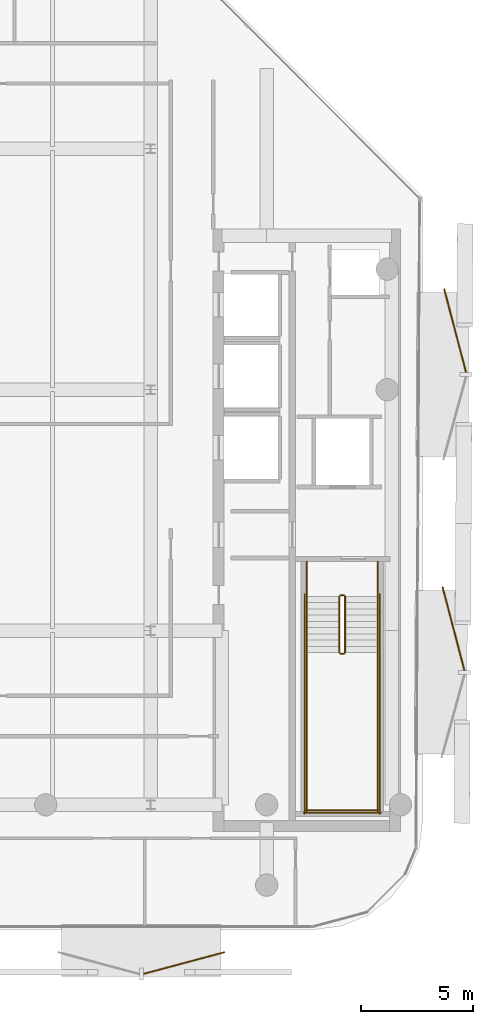
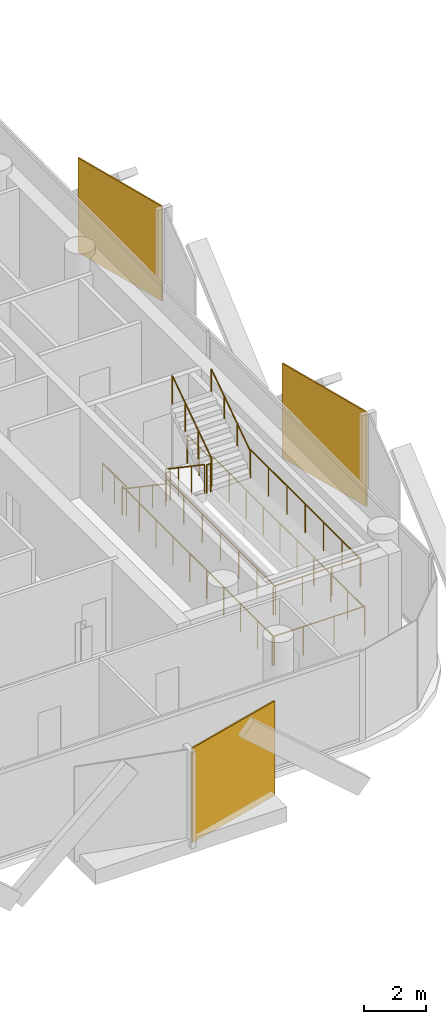
# One storey, part 15 of 16: 14 railings, 3 coverings.
"""IFC4 building model written with IfcOpenShell, lengths in metres."""

from ifc_helpers import new_model, si_unit, direction, frame, origin, origin_2d, place, context, subcontext, project, spatial, rectangle, circle, extrude, material, layer, layer_set, type_object, element, save


model = new_model("IFC4")

# Units and contexts
model_context = context("Model", 3, precision=1e-05, world=origin(), true_north=direction((0.0, 1.0)))
body_context = subcontext(model_context, "Body", "Model", "MODEL_VIEW")
ifc_project = project(units=[si_unit("LENGTHUNIT", "METRE"), si_unit("AREAUNIT", "SQUARE_METRE"), si_unit("VOLUMEUNIT", "CUBIC_METRE"), si_unit("PLANEANGLEUNIT", "RADIAN"), si_unit("MASSUNIT", "GRAM", prefix="KILO")], contexts=[model_context])

# Site, building, storey
site_placement = place(None, origin())
site = spatial("IfcSite", under=ifc_project, at=site_placement, CompositionType="ELEMENT")
building_placement = place(site_placement, origin())
building = spatial("IfcBuilding", under=site, at=building_placement, Name="Khairoan Windgate Tower", CompositionType="ELEMENT")
storey_placement = place(building_placement, frame((0.0, 0.0, 311.800048828125)))
storey = spatial("IfcBuildingStorey", under=building, at=storey_placement, Name="L75", CompositionType="ELEMENT", Elevation=311.800048828125)

# Coverings
ifc_material_1 = material(Name="Anodised Bronze Aluminium 6063-T6", Category="aluminium")
ifc_layer = layer(ifc_material_1, 0.054931640625, Name="Anodised Bronze Aluminium 6063-T6")
ifc_layer_set = layer_set([ifc_layer], Name="Anodised Bronze Aluminium 6063-T6")
covering_type = type_object("IfcCoveringType", Name="Perforated Bronze-Ceramic Folded Solar Screen Cladding BSC-1", PredefinedType="CLADDING", material=ifc_layer_set)
covering_placement = place(storey_placement, frame((10.69580078125, -25.69140625, -0.10009765625), z_axis=(0.0, 0.0, 1.0), x_axis=(-0.965925826289, -0.258819045103, 0.0)))
element("IfcCovering", 1, at=covering_placement, inside=storey, type_object=covering_type, Name="L75 Folded Bronze Solar Screen Facet 526L", PredefinedType="CLADDING", context=body_context, shape_type="SweptSolid", body=[
    extrude(rectangle(XDim=3.77490234375, YDim=0.054931640625, at=origin_2d()), origin(), (0.0, 0.0, 1.0), 3.739990234375),
])
for number, where, z_axis, x_axis, name in (
    (2, (22.845703125, 2.638916015625, -0.10009765625), (0.0, 0.0, 1.0), (0.253420288991, -0.967356272077, 0.0), "L75 Folded Bronze Solar Screen Facet 532L"),
    (3, (22.77099609375, -10.7080078125, -0.10009765625), (0.0, 0.0, 1.0), (0.253420288991, -0.967356272077, 0.0), "L75 Folded Bronze Solar Screen Facet 533L"),
):
    element("IfcCovering", number, at=place(storey_placement, frame(where, z_axis=z_axis, x_axis=x_axis)), inside=storey, type_object=covering_type, Name=name, PredefinedType="CLADDING", context=body_context, shape_type="SweptSolid", body=[
        extrude(rectangle(XDim=3.87109375, YDim=0.054931640625, at=origin_2d()), origin(), (0.0, 0.0, 1.0), 3.739990234375),
    ])

# Railings
ifc_material_2 = material(Name="Anodised Bronze Aluminium 6063-T6", Category="aluminium")
railing_type_1 = type_object("IfcRailingType", Name="Stair Wall Handrail SHR-900", PredefinedType="HANDRAIL", material=ifc_material_2)
railing_1_placement = place(storey_placement, frame((16.199951171875, -9.260009765625, 0.18994140625)))
element("IfcRailing", 4, at=railing_1_placement, inside=storey, type_object=railing_type_1, Name="L75 ST1 stair handrail 1", PredefinedType="HANDRAIL", context=body_context, shape_type="SweptSolid", body=[
    extrude(circle(Radius=0.02392578125, at=origin_2d()), frame((0.0, 0.0, 0.8759765625), z_axis=(0.0, -0.827483756001, 0.561489655786), x_axis=(1.0, 0.0, 0.0)), (0.0, 0.0, 1.0), 3.04541015625),
    extrude(circle(Radius=0.02099609375, at=origin_2d()), origin(), (0.0, 0.0, 1.0), 0.851806640625),
    extrude(circle(Radius=0.02099609375, at=origin_2d()), frame((0.0, -0.840087890625, 0.570068359375)), (0.0, 0.0, 1.0), 0.851806640625),
    extrude(circle(Radius=0.02099609375, at=origin_2d()), frame((0.0, -1.679931640625, 1.139892578125)), (0.0, 0.0, 1.0), 0.851806640625),
    extrude(circle(Radius=0.02099609375, at=origin_2d()), frame((0.0, -2.52001953125, 1.7099609375)), (0.0, 0.0, 1.0), 0.851806640625),
])
railing_2_placement = place(storey_placement, frame((19.3701171875, -11.780029296875, 2.08984375)))
element("IfcRailing", 5, at=railing_2_placement, inside=storey, type_object=railing_type_1, Name="L75 ST1 stair handrail 2", PredefinedType="HANDRAIL", context=body_context, shape_type="SweptSolid", body=[
    extrude(circle(Radius=0.02392578125, at=origin_2d()), frame((0.0, 0.0, 0.8759765625), z_axis=(0.0, 0.82744650838, 0.561544544778), x_axis=(-1.0, 0.0, 0.0)), (0.0, 0.0, 1.0), 3.045654296875),
    extrude(circle(Radius=0.02099609375, at=origin_2d()), origin(), (0.0, 0.0, 1.0), 0.851806640625),
    extrude(circle(Radius=0.02099609375, at=origin_2d()), frame((0.0, 0.840087890625, 0.570068359375)), (0.0, 0.0, 1.0), 0.851806640625),
    extrude(circle(Radius=0.02099609375, at=origin_2d()), frame((0.0, 1.679931640625, 1.14013671875)), (0.0, 0.0, 1.0), 0.851806640625),
    extrude(circle(Radius=0.02099609375, at=origin_2d()), frame((0.0, 2.52001953125, 1.710205078125)), (0.0, 0.0, 1.0), 0.851806640625),
])
ifc_material_3 = material(Name="Steel S355", Category="steel")
railing_type_2 = type_object("IfcRailingType", Name="Stairwell Safety Guardrail SGR-1150", PredefinedType="GUARDRAIL", material=ifc_material_3)
railing_3_placement = place(storey_placement, frame((17.659912109375, -9.260009765625, 0.18994140625)))
element("IfcRailing", 6, at=railing_3_placement, inside=storey, type_object=railing_type_2, Name="L75 ST1 stair guard 1", PredefinedType="GUARDRAIL", context=body_context, shape_type="SweptSolid", body=[
    extrude(circle(Radius=0.02392578125, at=origin_2d()), frame((0.0, 0.0, 1.1259765625), z_axis=(0.0, -0.827483756001, 0.561489655786), x_axis=(1.0, 0.0, 0.0)), (0.0, 0.0, 1.0), 3.04541015625),
    extrude(circle(Radius=0.02099609375, at=origin_2d()), origin(), (0.0, 0.0, 1.0), 1.101806640625),
    extrude(circle(Radius=0.02099609375, at=origin_2d()), frame((0.0, -0.840087890625, 0.570068359375)), (0.0, 0.0, 1.0), 1.101806640625),
    extrude(circle(Radius=0.02099609375, at=origin_2d()), frame((0.0, -1.679931640625, 1.139892578125)), (0.0, 0.0, 1.0), 1.101806640625),
    extrude(circle(Radius=0.02099609375, at=origin_2d()), frame((0.0, -2.52001953125, 1.7099609375)), (0.0, 0.0, 1.0), 1.101806640625),
])
railing_4_placement = place(storey_placement, frame((17.7099609375, -11.830078125, 1.89990234375)))
element("IfcRailing", 7, at=railing_4_placement, inside=storey, type_object=railing_type_2, Name="L75 ST1 stair guard 2", PredefinedType="GUARDRAIL", context=body_context, shape_type="SweptSolid", body=[
    extrude(circle(Radius=0.02392578125, at=origin_2d()), frame((0.0, 0.0, 1.1259765625), z_axis=(1.0, 0.0, 0.0), x_axis=(0.0, 1.0, 0.0)), (0.0, 0.0, 1.0), 0.150146484375),
    extrude(circle(Radius=0.02099609375, at=origin_2d()), origin(), (0.0, 0.0, 1.0), 1.101806640625),
    extrude(circle(Radius=0.02099609375, at=origin_2d()), frame((0.150146484375, 0.0, 0.0)), (0.0, 0.0, 1.0), 1.101806640625),
])
for number, where, name in (
    (8, (16.199951171875, -11.780029296875, 1.89990234375), "L75 ST1 stair guard 3"),
    (9, (19.3701171875, -11.780029296875, 1.89990234375), "L75 ST1 stair guard 4"),
):
    element("IfcRailing", number, at=place(storey_placement, frame(where)), inside=storey, type_object=railing_type_2, Name=name, PredefinedType="GUARDRAIL", context=body_context, shape_type="SweptSolid", body=[
        extrude(circle(Radius=0.02392578125, at=origin_2d()), frame((0.0, 0.0, 1.1259765625), z_axis=(0.0, -1.0, 0.0), x_axis=(1.0, 0.0, 0.0)), (0.0, 0.0, 1.0), 7.119873046875),
        extrude(circle(Radius=0.02099609375, at=origin_2d()), origin(), (0.0, 0.0, 1.0), 1.101806640625),
        extrude(circle(Radius=0.02099609375, at=origin_2d()), frame((0.0, -1.1865234375, 0.0)), (0.0, 0.0, 1.0), 1.101806640625),
        extrude(circle(Radius=0.02099609375, at=origin_2d()), frame((0.0, -2.373291015625, 0.0)), (0.0, 0.0, 1.0), 1.101806640625),
        extrude(circle(Radius=0.02099609375, at=origin_2d()), frame((0.0, -3.56005859375, 0.0)), (0.0, 0.0, 1.0), 1.101806640625),
        extrude(circle(Radius=0.02099609375, at=origin_2d()), frame((0.0, -4.74658203125, 0.0)), (0.0, 0.0, 1.0), 1.101806640625),
        extrude(circle(Radius=0.02099609375, at=origin_2d()), frame((0.0, -5.93310546875, 0.0)), (0.0, 0.0, 1.0), 1.101806640625),
        extrude(circle(Radius=0.02099609375, at=origin_2d()), frame((0.0, -7.119873046875, 0.0)), (0.0, 0.0, 1.0), 1.101806640625),
    ])
railing_5_placement = place(storey_placement, frame((16.14990234375, -18.85009765625, 1.89990234375)))
element("IfcRailing", 10, at=railing_5_placement, inside=storey, type_object=railing_type_2, Name="L75 ST1 stair guard 5", PredefinedType="GUARDRAIL", context=body_context, shape_type="SweptSolid", body=[
    extrude(circle(Radius=0.02392578125, at=origin_2d()), frame((0.0, 0.0, 1.1259765625), z_axis=(1.0, 0.0, 0.0), x_axis=(0.0, 1.0, 0.0)), (0.0, 0.0, 1.0), 3.27001953125),
    extrude(circle(Radius=0.02099609375, at=origin_2d()), origin(), (0.0, 0.0, 1.0), 1.101806640625),
    extrude(circle(Radius=0.02099609375, at=origin_2d()), frame((1.090087890625, 0.0, 0.0)), (0.0, 0.0, 1.0), 1.101806640625),
    extrude(circle(Radius=0.02099609375, at=origin_2d()), frame((2.179931640625, 0.0, 0.0)), (0.0, 0.0, 1.0), 1.101806640625),
    extrude(circle(Radius=0.02099609375, at=origin_2d()), frame((3.27001953125, 0.0, 0.0)), (0.0, 0.0, 1.0), 1.101806640625),
])
railing_6_placement = place(storey_placement, frame((17.909912109375, -11.780029296875, 2.08984375)))
element("IfcRailing", 11, at=railing_6_placement, inside=storey, type_object=railing_type_2, Name="L75 ST1 stair guard 6", PredefinedType="GUARDRAIL", context=body_context, shape_type="SweptSolid", body=[
    extrude(circle(Radius=0.02392578125, at=origin_2d()), frame((0.0, 0.0, 1.1259765625), z_axis=(0.0, 0.82744650838, 0.561544544778), x_axis=(-1.0, 0.0, 0.0)), (0.0, 0.0, 1.0), 3.045654296875),
    extrude(circle(Radius=0.02099609375, at=origin_2d()), origin(), (0.0, 0.0, 1.0), 1.101806640625),
    extrude(circle(Radius=0.02099609375, at=origin_2d()), frame((0.0, 0.840087890625, 0.570068359375)), (0.0, 0.0, 1.0), 1.101806640625),
    extrude(circle(Radius=0.02099609375, at=origin_2d()), frame((0.0, 1.679931640625, 1.14013671875)), (0.0, 0.0, 1.0), 1.101806640625),
    extrude(circle(Radius=0.02099609375, at=origin_2d()), frame((0.0, 2.52001953125, 1.710205078125)), (0.0, 0.0, 1.0), 1.101806640625),
])
railing_7_placement = place(storey_placement, frame((17.7099609375, -9.2099609375, 0.0)))
element("IfcRailing", 12, at=railing_7_placement, inside=storey, type_object=railing_type_2, Name="L75 ST1 stair guard 7", PredefinedType="GUARDRAIL", context=body_context, shape_type="SweptSolid", body=[
    extrude(circle(Radius=0.02392578125, at=origin_2d()), frame((0.0, 0.0, 1.1259765625), z_axis=(1.0, 0.0, 0.0), x_axis=(0.0, 1.0, 0.0)), (0.0, 0.0, 1.0), 0.150146484375),
    extrude(circle(Radius=0.02099609375, at=origin_2d()), origin(), (0.0, 0.0, 1.0), 1.101806640625),
    extrude(circle(Radius=0.02099609375, at=origin_2d()), frame((0.150146484375, 0.0, 0.0)), (0.0, 0.0, 1.0), 1.101806640625),
])
for number, where, name in (
    (13, (16.199951171875, -7.699951171875, 0.0), "L75 ST1 stair guard 8"),
    (14, (19.3701171875, -7.699951171875, 0.0), "L75 ST1 stair guard 9"),
):
    element("IfcRailing", number, at=place(storey_placement, frame(where)), inside=storey, type_object=railing_type_2, Name=name, PredefinedType="GUARDRAIL", context=body_context, shape_type="SweptSolid", body=[
        extrude(circle(Radius=0.02392578125, at=origin_2d()), frame((0.0, 0.0, 1.1259765625), z_axis=(0.0, -1.0, 0.0), x_axis=(1.0, 0.0, 0.0)), (0.0, 0.0, 1.0), 1.56005859375),
        extrude(circle(Radius=0.02099609375, at=origin_2d()), origin(), (0.0, 0.0, 1.0), 1.101806640625),
        extrude(circle(Radius=0.02099609375, at=origin_2d()), frame((0.0, -0.780029296875, 0.0)), (0.0, 0.0, 1.0), 1.101806640625),
        extrude(circle(Radius=0.02099609375, at=origin_2d()), frame((0.0, -1.56005859375, 0.0)), (0.0, 0.0, 1.0), 1.101806640625),
    ])
for number, where, name in (
    (15, (16.10009765625, -9.159912109375, 0.0), "L75 ST1 stair guard 10"),
    (16, (19.469970703125, -9.159912109375, 0.0), "L75 ST1 stair guard 11"),
):
    element("IfcRailing", number, at=place(storey_placement, frame(where)), inside=storey, type_object=railing_type_2, Name=name, PredefinedType="GUARDRAIL", context=body_context, shape_type="SweptSolid", body=[
        extrude(circle(Radius=0.02392578125, at=origin_2d()), frame((0.0, 0.0, 1.1259765625), z_axis=(0.0, -1.0, 0.0), x_axis=(1.0, 0.0, 0.0)), (0.0, 0.0, 1.0), 9.840087890625),
        extrude(circle(Radius=0.02099609375, at=origin_2d()), origin(), (0.0, 0.0, 1.0), 1.101806640625),
        extrude(circle(Radius=0.02099609375, at=origin_2d()), frame((0.0, -1.09326171875, 0.0)), (0.0, 0.0, 1.0), 1.101806640625),
        extrude(circle(Radius=0.02099609375, at=origin_2d()), frame((0.0, -2.186767578125, 0.0)), (0.0, 0.0, 1.0), 1.101806640625),
        extrude(circle(Radius=0.02099609375, at=origin_2d()), frame((0.0, -3.280029296875, 0.0)), (0.0, 0.0, 1.0), 1.101806640625),
        extrude(circle(Radius=0.02099609375, at=origin_2d()), frame((0.0, -4.373291015625, 0.0)), (0.0, 0.0, 1.0), 1.101806640625),
        extrude(circle(Radius=0.02099609375, at=origin_2d()), frame((0.0, -5.466796875, 0.0)), (0.0, 0.0, 1.0), 1.101806640625),
        extrude(circle(Radius=0.02099609375, at=origin_2d()), frame((0.0, -6.56005859375, 0.0)), (0.0, 0.0, 1.0), 1.101806640625),
        extrude(circle(Radius=0.02099609375, at=origin_2d()), frame((0.0, -7.6533203125, 0.0)), (0.0, 0.0, 1.0), 1.101806640625),
        extrude(circle(Radius=0.02099609375, at=origin_2d()), frame((0.0, -8.746826171875, 0.0)), (0.0, 0.0, 1.0), 1.101806640625),
        extrude(circle(Radius=0.02099609375, at=origin_2d()), frame((0.0, -9.840087890625, 0.0)), (0.0, 0.0, 1.0), 1.101806640625),
    ])
railing_8_placement = place(storey_placement, frame((16.050048828125, -18.949951171875, 0.0)))
element("IfcRailing", 17, at=railing_8_placement, inside=storey, type_object=railing_type_2, Name="L75 ST1 stair guard 12", PredefinedType="GUARDRAIL", context=body_context, shape_type="SweptSolid", body=[
    extrude(circle(Radius=0.02392578125, at=origin_2d()), frame((0.0, 0.0, 1.1259765625), z_axis=(1.0, 0.0, 0.0), x_axis=(0.0, 1.0, 0.0)), (0.0, 0.0, 1.0), 3.469970703125),
    extrude(circle(Radius=0.02099609375, at=origin_2d()), origin(), (0.0, 0.0, 1.0), 1.101806640625),
    extrude(circle(Radius=0.02099609375, at=origin_2d()), frame((1.15673828125, 0.0, 0.0)), (0.0, 0.0, 1.0), 1.101806640625),
    extrude(circle(Radius=0.02099609375, at=origin_2d()), frame((2.313232421875, 0.0, 0.0)), (0.0, 0.0, 1.0), 1.101806640625),
    extrude(circle(Radius=0.02099609375, at=origin_2d()), frame((3.469970703125, 0.0, 0.0)), (0.0, 0.0, 1.0), 1.101806640625),
])

save(model, "model.ifc")
